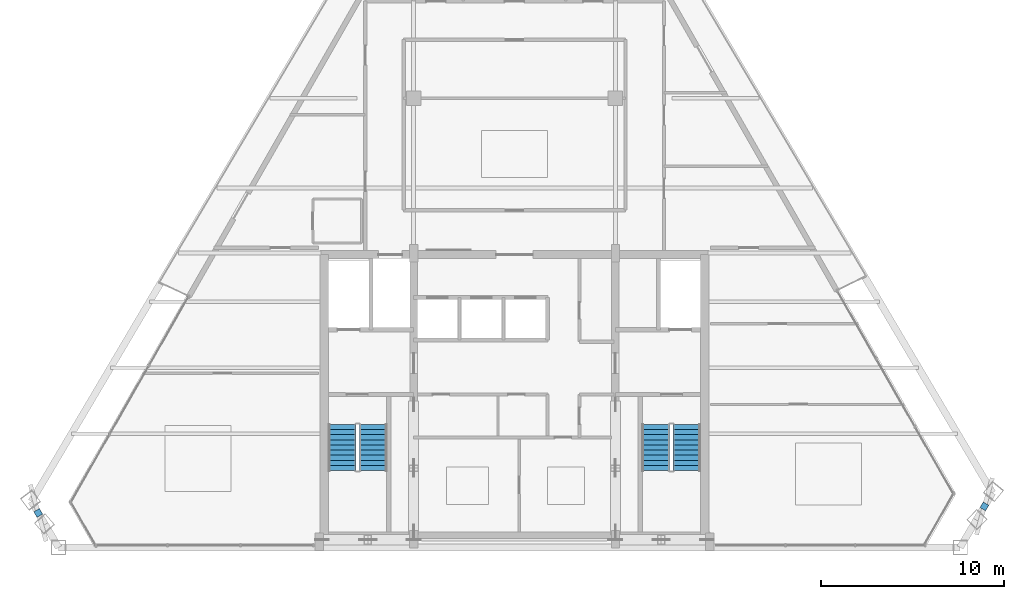
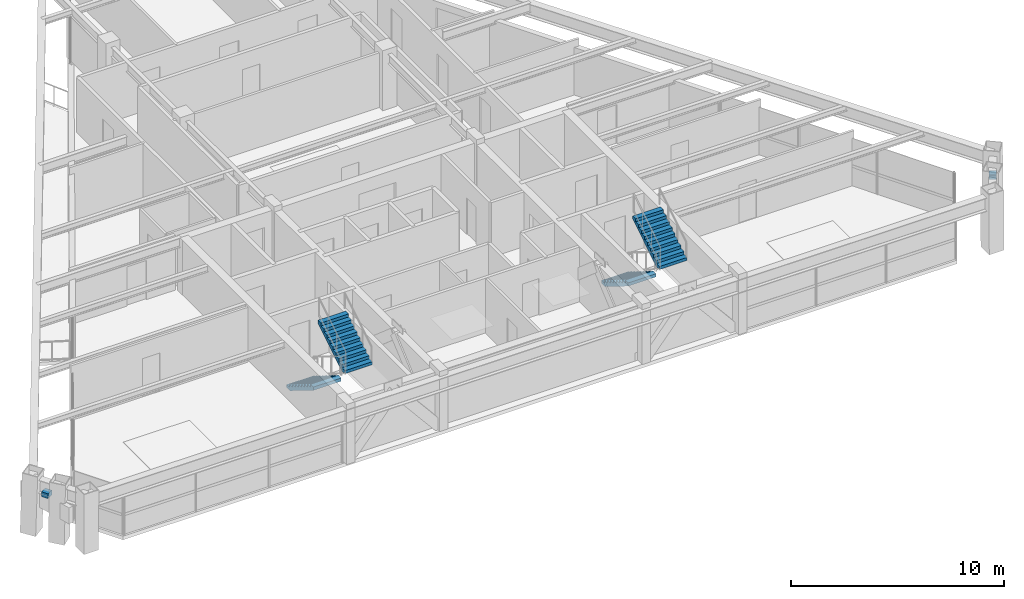
# One storey, part 11 of 13: 4 stair flights, 2 discrete accessories, 2 elements without a shape of their own.
"""IFC4 building model written with IfcOpenShell, lengths in metres."""

from ifc_helpers import new_model, si_unit, direction, frame, origin, origin_2d, place, context, subcontext, project, spatial, polyline, rectangle, outline, extrude, source, transform, mapped, material, type_object, type_shapes, element, aggregate, save


model = new_model("IFC4")

# Units and contexts
model_context = context("Model", 3, precision=1e-05, world=origin(), true_north=direction((0.0, 1.0)))
body_context = subcontext(model_context, "Body", "Model", "MODEL_VIEW")
ifc_project = project(units=[si_unit("LENGTHUNIT", "METRE"), si_unit("AREAUNIT", "SQUARE_METRE"), si_unit("VOLUMEUNIT", "CUBIC_METRE"), si_unit("PLANEANGLEUNIT", "RADIAN"), si_unit("MASSUNIT", "GRAM", prefix="KILO")], contexts=[model_context])

# Site, building, storey
site_placement = place(None, origin())
site = spatial("IfcSite", under=ifc_project, at=site_placement, CompositionType="ELEMENT")
building_placement = place(site_placement, origin())
building = spatial("IfcBuilding", under=site, at=building_placement, Name="Varnakhor Terracotta Tower", CompositionType="ELEMENT")
storey_placement = place(building_placement, frame((0.0, 0.0, 300.60009765625)))
storey = spatial("IfcBuildingStorey", under=building, at=storey_placement, Name="L79", CompositionType="ELEMENT", Elevation=300.60009765625)

# Stair, stair flights
ifc_material_1 = material(Name="Concrete C40/50", Category="concrete")
stair_type = type_object("IfcStairType", Name="STR-CORE-HOTEL-1500", PredefinedType="HALF_TURN_STAIR", material=ifc_material_1)
stair_1_placement = place(storey_placement, origin())
stair_1 = element("IfcStair", 1, at=stair_1_placement, inside=storey, type_object=stair_type, Name="L79 Core Exit Stair ST-1", PredefinedType="HALF_TURN_STAIR")
stair_flight_type = type_object("IfcStairFlightType", Name="FLT-HOTEL-1500", PredefinedType="STRAIGHT", material=ifc_material_1)
stair_flight_1_placement = place(storey_placement, frame((-9.39990234375, 6.7099609375, 0.0), z_axis=(0.0, 0.0, 1.0), x_axis=(0.0, -1.0, 0.0)))
stair_flight_1 = element("IfcStairFlight", 2, at=stair_flight_1_placement, type_object=stair_flight_type, Name="ST-1 flight 1", NumberOfRisers=10, NumberOfTreads=9, PredefinedType="STRAIGHT", RiserHeight=0.1725, TreadLength=0.28, context=body_context, shape_type="SweptSolid", body=[
    extrude(outline(polyline([(0.0, 0.0), (0.0, 0.172607421875), (0.280029296875, 0.172607421875), (0.280029296875, 0.344970703125), (0.56005859375, 0.344970703125), (0.56005859375, 0.517578125), (0.840087890625, 0.517578125), (0.840087890625, 0.68994140625), (1.1201171875, 0.68994140625), (1.1201171875, 0.862548828125), (1.39990234375, 0.862548828125), (1.39990234375, 1.034912109375), (1.679931640625, 1.034912109375), (1.679931640625, 1.20751953125), (1.9599609375, 1.20751953125), (1.9599609375, 1.3798828125), (2.239990234375, 1.3798828125), (2.239990234375, 1.552490234375), (2.52001953125, 1.552490234375), (2.52001953125, 1.72509765625), (2.52001953125, 1.36474609375), (0.304931640625, 0.0), (0.0, 0.0)])), frame((0.0, 0.75, 0.0), z_axis=(0.0, -1.0, 0.0), x_axis=(1.0, 0.0, 0.0)), (0.0, 0.0, 1.0), 1.5),
])
stair_flight_2_placement = place(storey_placement, frame((-7.699951171875, 4.18994140625, 1.724853515625), z_axis=(0.0, 0.0, 1.0), x_axis=(0.0, 1.0, 0.0)))
stair_flight_2 = element("IfcStairFlight", 3, at=stair_flight_2_placement, type_object=stair_flight_type, Name="ST-1 flight 2", NumberOfRisers=10, NumberOfTreads=9, PredefinedType="STRAIGHT", RiserHeight=0.1725, TreadLength=0.28, context=body_context, shape_type="SweptSolid", body=[
    extrude(outline(polyline([(0.0, 0.0), (0.0, 0.172607421875), (0.280029296875, 0.172607421875), (0.280029296875, 0.344970703125), (0.56005859375, 0.344970703125), (0.56005859375, 0.517578125), (0.840087890625, 0.517578125), (0.840087890625, 0.68994140625), (1.1201171875, 0.68994140625), (1.1201171875, 0.862548828125), (1.39990234375, 0.862548828125), (1.39990234375, 1.034912109375), (1.679931640625, 1.034912109375), (1.679931640625, 1.20751953125), (1.9599609375, 1.20751953125), (1.9599609375, 1.3798828125), (2.239990234375, 1.3798828125), (2.239990234375, 1.552490234375), (2.52001953125, 1.552490234375), (2.52001953125, 1.72509765625), (2.52001953125, 1.36474609375), (0.304931640625, 0.0), (0.0, 0.0)])), frame((0.0, 0.75, 0.0), z_axis=(0.0, -1.0, 0.0), x_axis=(1.0, 0.0, 0.0)), (0.0, 0.0, 1.0), 1.5),
])
aggregate(stair_1, [stair_flight_1, stair_flight_2])

stair_2_placement = place(storey_placement, origin())
stair_2 = element("IfcStair", 4, at=stair_2_placement, inside=storey, type_object=stair_type, Name="L79 Core Exit Stair ST-2", PredefinedType="HALF_TURN_STAIR")
stair_flight_3_placement = place(storey_placement, frame((7.699951171875, 6.7099609375, 0.0), z_axis=(0.0, 0.0, 1.0), x_axis=(0.0, -1.0, 0.0)))
stair_flight_3 = element("IfcStairFlight", 5, at=stair_flight_3_placement, type_object=stair_flight_type, Name="ST-2 flight 1", NumberOfRisers=10, NumberOfTreads=9, PredefinedType="STRAIGHT", RiserHeight=0.1725, TreadLength=0.28, context=body_context, shape_type="SweptSolid", body=[
    extrude(outline(polyline([(0.0, 0.0), (0.0, 0.172607421875), (0.280029296875, 0.172607421875), (0.280029296875, 0.344970703125), (0.56005859375, 0.344970703125), (0.56005859375, 0.517578125), (0.840087890625, 0.517578125), (0.840087890625, 0.68994140625), (1.1201171875, 0.68994140625), (1.1201171875, 0.862548828125), (1.39990234375, 0.862548828125), (1.39990234375, 1.034912109375), (1.679931640625, 1.034912109375), (1.679931640625, 1.20751953125), (1.9599609375, 1.20751953125), (1.9599609375, 1.3798828125), (2.239990234375, 1.3798828125), (2.239990234375, 1.552490234375), (2.52001953125, 1.552490234375), (2.52001953125, 1.72509765625), (2.52001953125, 1.36474609375), (0.304931640625, 0.0), (0.0, 0.0)])), frame((0.0, 0.75, 0.0), z_axis=(0.0, -1.0, 0.0), x_axis=(1.0, 0.0, 0.0)), (0.0, 0.0, 1.0), 1.5),
])
stair_flight_4_placement = place(storey_placement, frame((9.39990234375, 4.18994140625, 1.724853515625), z_axis=(0.0, 0.0, 1.0), x_axis=(0.0, 1.0, 0.0)))
stair_flight_4 = element("IfcStairFlight", 6, at=stair_flight_4_placement, type_object=stair_flight_type, Name="ST-2 flight 2", NumberOfRisers=10, NumberOfTreads=9, PredefinedType="STRAIGHT", RiserHeight=0.1725, TreadLength=0.28, context=body_context, shape_type="SweptSolid", body=[
    extrude(outline(polyline([(0.0, 0.0), (0.0, 0.172607421875), (0.280029296875, 0.172607421875), (0.280029296875, 0.344970703125), (0.56005859375, 0.344970703125), (0.56005859375, 0.517578125), (0.840087890625, 0.517578125), (0.840087890625, 0.68994140625), (1.1201171875, 0.68994140625), (1.1201171875, 0.862548828125), (1.39990234375, 0.862548828125), (1.39990234375, 1.034912109375), (1.679931640625, 1.034912109375), (1.679931640625, 1.20751953125), (1.9599609375, 1.20751953125), (1.9599609375, 1.3798828125), (2.239990234375, 1.3798828125), (2.239990234375, 1.552490234375), (2.52001953125, 1.552490234375), (2.52001953125, 1.72509765625), (2.52001953125, 1.36474609375), (0.304931640625, 0.0), (0.0, 0.0)])), frame((0.0, 0.75, 0.0), z_axis=(0.0, -1.0, 0.0), x_axis=(1.0, 0.0, 0.0)), (0.0, 0.0, 1.0), 1.5),
])
aggregate(stair_2, [stair_flight_3, stair_flight_4])

# Discrete accessories
ifc_material_2 = material(Name="Stainless Steel Fixing Bracket", Category="steel")
discrete_accessory_type = type_object("IfcDiscreteAccessoryType", Name="BRACKET-TERRACOTTA-SCREEN", PredefinedType="BRACKET", material=ifc_material_2)
shared_shape = source(origin(), body_context, "Body", "SweptSolid", [
    extrude(rectangle(XDim=0.35009765625, YDim=0.35009765625, at=origin_2d()), origin(), (0.0, 0.0, 1.0), 0.280029296875),
])
type_shapes(discrete_accessory_type, [shared_shape])
for number, where, z_axis, x_axis, name in (
    (7, (25.627197265625, 2.239013671875, 2.2470703125), (0.0, 0.0, 1.0), (0.509131549653, 0.860688715592, 0.0), "L79 E Screen Fixing Bracket"),
    (8, (-25.97900390625, 1.88232421875, 2.2470703125), (0.0, 0.0, 1.0), (0.509116527724, -0.860697601483, 0.0), "L79 W Screen Fixing Bracket"),
):
    element("IfcDiscreteAccessory", number, at=place(storey_placement, frame(where, z_axis=z_axis, x_axis=x_axis)), inside=storey, type_object=discrete_accessory_type, Name=name, PredefinedType="BRACKET", context=body_context, shape_type="MappedRepresentation", body=[
        mapped(shared_shape, transform((0.0, 0.0, 0.0), scale=1.0)),
    ])

save(model, "model.ifc")
